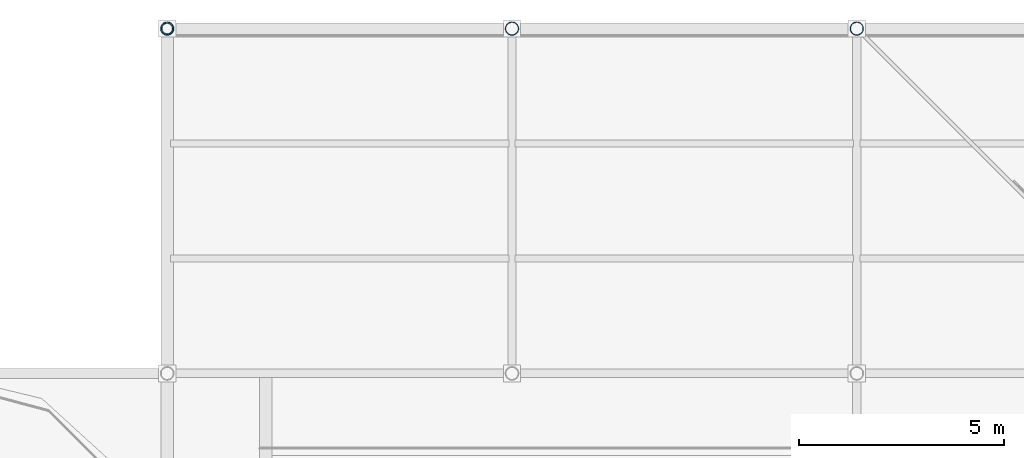
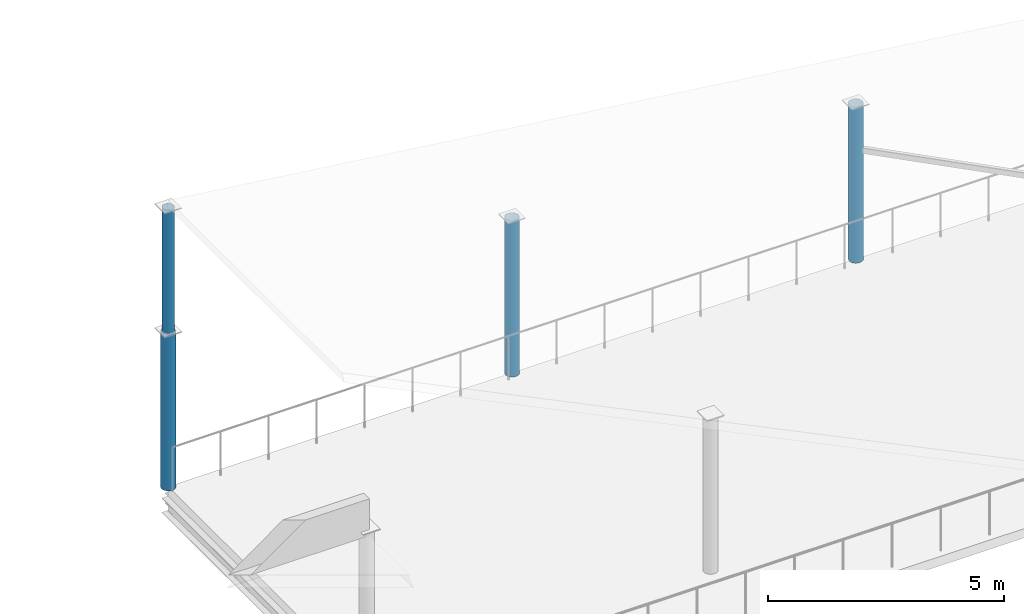
# One storey, part 12 of 65: 4 columns.
"""IFC4 building model written with IfcOpenShell, lengths in metres."""

import ifcopenshell
import ifcopenshell.guid

model = None  # the IFC model being written
_history = None  # IfcOwnerHistory: only IFC2X3 demands one
_inside = {}  # id of a spatial element -> (the spatial element, [elements in it])
_under = {}  # id of a project, library or spatial element -> (it, [spatial elements below it])
_declared = {}  # id of a project -> (the project, [libraries it declares])
_typed = {}  # id of a type object -> (the type object, [elements of that type])
_made_of = {}  # id of a material, layer set ... -> (it, [elements and type objects made of it])


def new_model(schema):
    """Start an empty IFC model of exactly this schema.

    Asked for "IFC4X3", IfcOpenShell would pick the latest addendum, in which some entities
    have other attributes; the version numbers below select the first issue.
    IFC2X3 requires an IfcOwnerHistory on every rooted entity: one is made here for all.
    """
    global model, _history
    if schema == "IFC4X3":
        model = ifcopenshell.file(schema_version=(4, 3, 0, 0))
    else:
        model = ifcopenshell.file(schema=schema)
    _inside.clear()
    _under.clear()
    _declared.clear()
    _typed.clear()
    _made_of.clear()
    _history = None
    if model.schema == "IFC2X3":
        org = make("IfcOrganization", Name="unknown")
        user = make(
            "IfcPersonAndOrganization",
            ThePerson=make("IfcPerson", FamilyName="unknown"),
            TheOrganization=org,
        )
        app = make(
            "IfcApplication",
            ApplicationDeveloper=org,
            Version="unknown",
            ApplicationFullName="unknown",
            ApplicationIdentifier="unknown",
        )
        _history = make(
            "IfcOwnerHistory",
            OwningUser=user,
            OwningApplication=app,
            ChangeAction="ADDED",
            CreationDate=0,
        )
    return model


def make(cls, **values):
    """One entity of the class cls with the attributes given. An attribute that is None is left unset."""
    return model.create_entity(
        cls, **{name: value for name, value in values.items() if value is not None}
    )


def rooted(cls, **values):
    """An entity with a GlobalId (a new one), such as an element, a storey or a relation."""
    return make(cls, GlobalId=ifcopenshell.guid.new(), OwnerHistory=_history, **values)


def si_unit(unit_type, name, prefix=None):
    """IfcSIUnit, for example si_unit("LENGTHUNIT", "METRE", prefix="MILLI")."""
    return make("IfcSIUnit", UnitType=unit_type, Prefix=prefix, Name=name)


def assignment(units):
    """IfcUnitAssignment: the units of a project."""
    return None if units is None else make("IfcUnitAssignment", Units=units)


def point(xyz):
    """IfcCartesianPoint."""
    return None if xyz is None else make("IfcCartesianPoint", Coordinates=xyz)


def direction(xyz):
    """IfcDirection."""
    return None if xyz is None else make("IfcDirection", DirectionRatios=xyz)


def frame(location, z_axis=None, x_axis=None):
    """IfcAxis2Placement3D, a coordinate frame: its origin and axes. An axis left out is left unset."""
    return make(
        "IfcAxis2Placement3D",
        Location=point(location),
        Axis=direction(z_axis),
        RefDirection=direction(x_axis),
    )


def frame_2d(location, x_axis=None):
    """IfcAxis2Placement2D, a coordinate frame in the plane: its origin and x axis."""
    return make(
        "IfcAxis2Placement2D", Location=point(location), RefDirection=direction(x_axis)
    )


def origin():
    """The frame at (0, 0, 0) with its axes left unset."""
    return frame((0.0, 0.0, 0.0))


def origin_2d():
    """The frame at (0, 0) in the plane with its x axis left unset."""
    return frame_2d((0.0, 0.0))


def place(relative_to, where):
    """IfcLocalPlacement: puts the frame where relative to a parent placement (None: the world)."""
    return make(
        "IfcLocalPlacement", PlacementRelTo=relative_to, RelativePlacement=where
    )


def context(
    kind, dimensions, precision=None, world=None, true_north=None, identifier=None
):
    """IfcGeometricRepresentationContext, for example the 3D "Model" context."""
    return make(
        "IfcGeometricRepresentationContext",
        ContextIdentifier=identifier,
        ContextType=kind,
        CoordinateSpaceDimension=dimensions,
        Precision=precision,
        WorldCoordinateSystem=world,
        TrueNorth=true_north,
    )


def subcontext(parent, identifier, kind, view, scale=None):
    """IfcGeometricRepresentationSubContext, for example "Body" below "Model"."""
    return make(
        "IfcGeometricRepresentationSubContext",
        ContextIdentifier=identifier,
        ContextType=kind,
        ParentContext=parent,
        TargetScale=scale,
        TargetView=view,
    )


def project(units=None, contexts=None):
    """IfcProject with its units and contexts."""
    return rooted(
        "IfcProject",
        Name="project",
        RepresentationContexts=contexts,
        UnitsInContext=assignment(units),
    )


def spatial(cls, under=None, at=None, **own):
    """A site, building, storey or space (cls), placed at a placement, below another one or the project."""
    s = rooted(cls, ObjectPlacement=at, **own)
    if under is not None:
        _under.setdefault(under.id(), (under, []))[1].append(s)
    return s


def profile(cls, at=None, kind="AREA", **sizes):
    """A parametric profile (cls). Its sizes go by their IFC names, for example OverallWidth=200.0."""
    return make(cls, ProfileType=kind, Position=at, **sizes)


def hollow_circle(**sizes):
    """IfcCircleHollowProfileDef."""
    return profile("IfcCircleHollowProfileDef", **sizes)


def extrude(swept, where, along, depth):
    """IfcExtrudedAreaSolid: the profile swept, set in the frame where, extruded along a direction by depth."""
    return make(
        "IfcExtrudedAreaSolid",
        SweptArea=swept,
        Position=where,
        ExtrudedDirection=direction(along),
        Depth=depth,
    )


def shape(context_of_items, identifier, shape_type, items):
    """IfcShapeRepresentation: the items that make up one representation, for example the "Body"."""
    return make(
        "IfcShapeRepresentation",
        ContextOfItems=context_of_items,
        RepresentationIdentifier=identifier,
        RepresentationType=shape_type,
        Items=items,
    )


def material(Name=None, Category=None):
    """IfcMaterial."""
    return make("IfcMaterial", Name=Name, Category=Category)


def material_profile(
    of_material, cross_section, Name=None, Category=None, Priority=None
):
    """IfcMaterialProfile: a cross section and its material."""
    return make(
        "IfcMaterialProfile",
        Name=Name,
        Material=of_material,
        Profile=cross_section,
        Priority=Priority,
        Category=Category,
    )


def profile_set(profiles, Name=None, composite=None):
    """IfcMaterialProfileSet."""
    return make(
        "IfcMaterialProfileSet",
        Name=Name,
        MaterialProfiles=profiles,
        CompositeProfile=composite,
    )


def made_of(thing, what):
    """Note that an element or type object is made of a material, layer set ...; save() writes the relation."""
    if what is not None:
        _made_of.setdefault(what.id(), (what, []))[1].append(thing)
    return thing


def type_object(cls, material=None, **own):
    """A type object (cls), such as IfcWallType, which elements share."""
    return made_of(rooted(cls, **own), material)


def element(
    cls,
    number,
    at=None,
    inside=None,
    cuts=None,
    type_object=None,
    material=None,
    context=None,
    identifier="Body",
    shape_type=None,
    held_by="IfcProductDefinitionShape",
    body=None,
    shapes=None,
    **own,
):
    """One element of the class cls, such as IfcWall. Its Tag is "e" and its number.

    at: its placement. inside: the storey or other place that contains it. cuts: it is an
    opening in that element (IfcRelVoidsElement). A single representation is given by context,
    identifier, shape_type and body (its items); several are given by shapes. held_by: the class
    of the entity that holds the representations. save() writes the other relations.
    """
    e = rooted(cls, Tag="e%d" % number, ObjectPlacement=at, **own)
    if body is not None:
        shapes = [shape(context, identifier, shape_type, body)]
    if shapes is not None:
        e.Representation = make(held_by, Representations=shapes)
    if inside is not None:
        _inside.setdefault(inside.id(), (inside, []))[1].append(e)
    if cuts is not None:
        rooted(
            "IfcRelVoidsElement", RelatingBuildingElement=cuts, RelatedOpeningElement=e
        )
    if type_object is not None:
        _typed.setdefault(type_object.id(), (type_object, []))[1].append(e)
    return made_of(e, material)


def aggregate(whole, parts):
    """IfcRelAggregates: a whole, such as a stair, and the parts it consists of."""
    return rooted("IfcRelAggregates", RelatingObject=whole, RelatedObjects=parts)


def save(model, path):
    """Write the relations noted so far, then the file.

    IfcRelAggregates (storeys below a building ...), IfcRelContainedInSpatialStructure (elements
    in a storey), IfcRelDefinesByType, IfcRelAssociatesMaterial and IfcRelDeclares: one each for
    every whole, place, type object, material and project.
    """
    for whole, parts in _under.values():
        aggregate(whole, parts)
    for where, things in _inside.values():
        rooted(
            "IfcRelContainedInSpatialStructure",
            RelatedElements=things,
            RelatingStructure=where,
        )
    for kind, things in _typed.values():
        rooted("IfcRelDefinesByType", RelatedObjects=things, RelatingType=kind)
    for what, things in _made_of.values():
        rooted("IfcRelAssociatesMaterial", RelatedObjects=things, RelatingMaterial=what)
    for by, libraries in _declared.values():
        rooted("IfcRelDeclares", RelatingContext=by, RelatedDefinitions=libraries)
    model.write(path)


model = new_model("IFC4")

# Units and contexts
model_context = context("Model", 3, precision=1e-05, world=origin(), true_north=direction((0.0, 1.0)))
body_context = subcontext(model_context, "Body", "Model", "MODEL_VIEW")
ifc_project = project(units=[si_unit("LENGTHUNIT", "METRE"), si_unit("AREAUNIT", "SQUARE_METRE"), si_unit("VOLUMEUNIT", "CUBIC_METRE"), si_unit("PLANEANGLEUNIT", "RADIAN"), si_unit("MASSUNIT", "GRAM", prefix="KILO")], contexts=[model_context])

# Site, building, storey
site_placement = place(None, origin())
site = spatial("IfcSite", under=ifc_project, at=site_placement, CompositionType="ELEMENT")
building_placement = place(site_placement, origin())
building = spatial("IfcBuilding", under=site, at=building_placement, Name="Qalvenar Corner Mobility Hub", CompositionType="ELEMENT")
storey_placement = place(building_placement, frame((0.0, 0.0, 17.39990234375)))
storey = spatial("IfcBuildingStorey", under=building, at=storey_placement, Name="L04", CompositionType="ELEMENT", Elevation=17.39990234375)

# Columns
ifc_material = material(Name="Steel S355", Category="steel")
ifc_material_profile_1 = material_profile(ifc_material, hollow_circle(Radius=0.136474609375, WallThickness=0.0087890625, at=origin_2d()), Name="CHS273x8.8")
ifc_profile_set_1 = profile_set([ifc_material_profile_1], Name="Steel S355")
column_type_1 = type_object("IfcColumnType", Name="COL-CHS273", PredefinedType="COLUMN", material=ifc_profile_set_1)
column_placement = place(storey_placement, frame((142.800048828125, 117.60009765625, 4.030029296875), z_axis=(0.0, 0.0, 1.0), x_axis=(1.0, 0.0, 0.0)))
element("IfcColumn", 1, at=column_placement, inside=storey, type_object=column_type_1, Name="Rotunda Roof Ridge Post V2R-117", PredefinedType="COLUMN", context=body_context, shape_type="SweptSolid", body=[
    extrude(hollow_circle(Radius=0.136474609375, WallThickness=0.0087890625, at=origin_2d()), origin(), (0.0, 0.0, 1.0), 3.199951171875),
])
ifc_material_profile_2 = material_profile(ifc_material, hollow_circle(Radius=0.161865234375, WallThickness=0.010009765625, at=origin_2d()), Name="CHS323.9x10")
ifc_profile_set_2 = profile_set([ifc_material_profile_2], Name="Steel S355")
column_type_2 = type_object("IfcColumnType", Name="COL-CHS323", PredefinedType="COLUMN", material=ifc_profile_set_2)
for number, where, z_axis, x_axis, name in (
    (2, (142.800048828125, 117.60009765625, 0.0), (0.0, 0.0, 1.0), (1.0, 0.0, 0.0), "Steel Column L04-G18-14"),
    (3, (151.199951171875, 117.60009765625, 0.0), (0.0, 0.0, 1.0), (1.0, 0.0, 0.0), "Steel Column L04-G19-14"),
    (4, (159.60009765625, 117.60009765625, 0.0), (0.0, 0.0, 1.0), (1.0, 0.0, 0.0), "Steel Column L04-G20-14"),
):
    element("IfcColumn", number, at=place(storey_placement, frame(where, z_axis=z_axis, x_axis=x_axis)), inside=storey, type_object=column_type_2, Name=name, PredefinedType="COLUMN", context=body_context, shape_type="SweptSolid", body=[
        extrude(hollow_circle(Radius=0.161865234375, WallThickness=0.010009765625, at=origin_2d()), origin(), (0.0, 0.0, 1.0), 4.030029296875),
    ])

save(model, "model.ifc")
